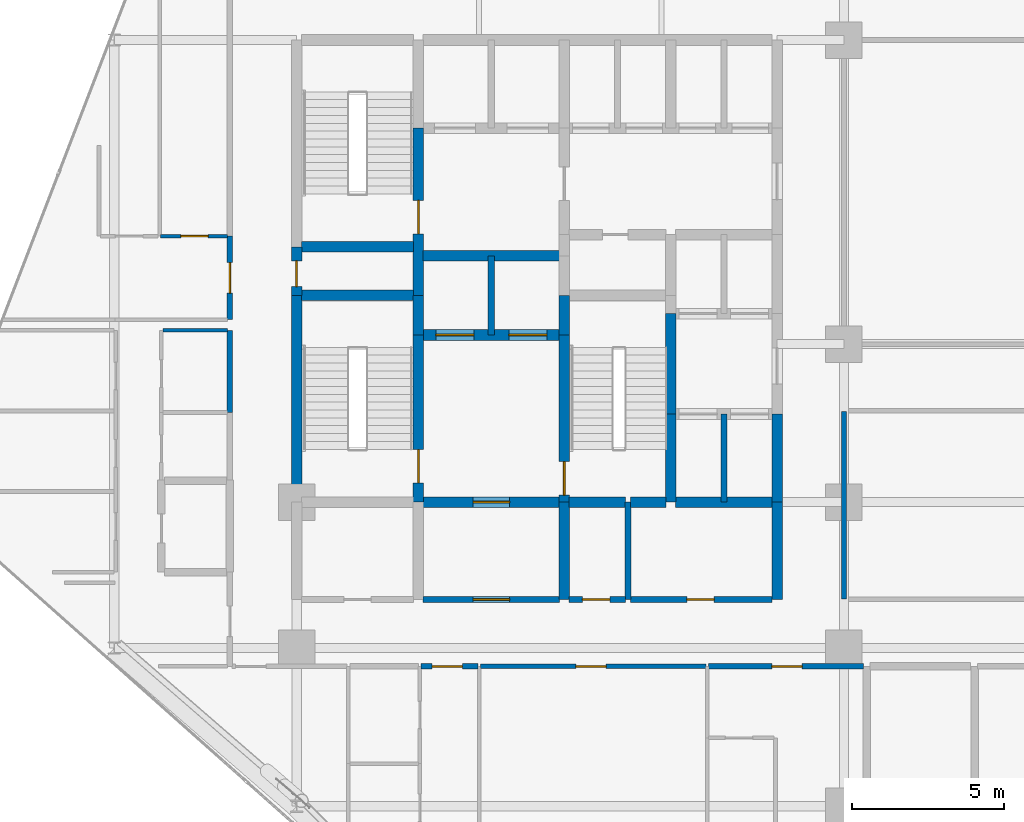
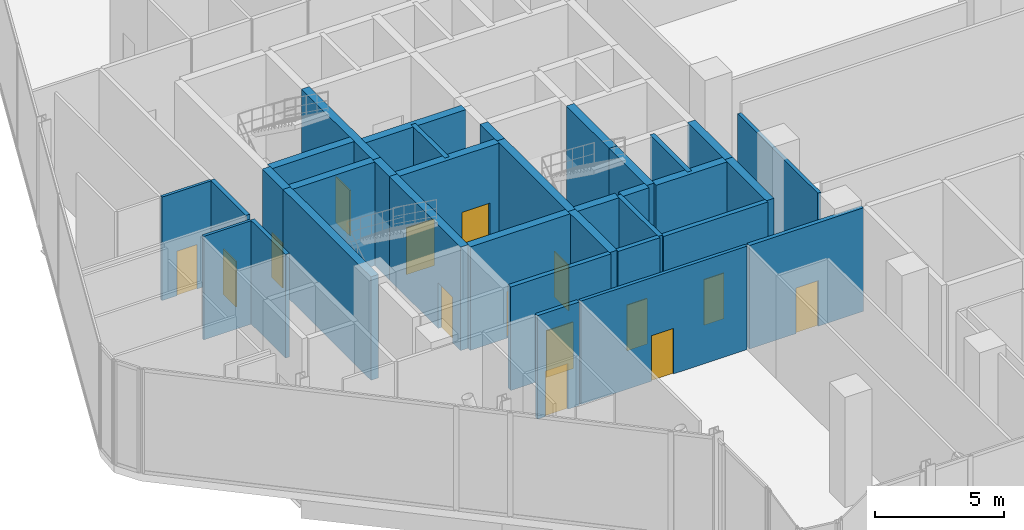
# One storey, part 30 of 36: 34 walls, 15 doors, 15 openings.
"""IFC4 building model written with IfcOpenShell, lengths in metres."""

from ifc_helpers import new_model, si_unit, direction, frame, frame_2d, origin, place, context, subcontext, project, spatial, rectangle, extrude, material, layer, layer_set, type_object, element, fill, save


model = new_model("IFC4")

# Units and contexts
model_context = context("Model", 3, precision=1e-05, world=origin(), true_north=direction((0.0, 1.0)))
body_context = subcontext(model_context, "Body", "Model", "MODEL_VIEW")
ifc_project = project(units=[si_unit("LENGTHUNIT", "METRE"), si_unit("AREAUNIT", "SQUARE_METRE"), si_unit("VOLUMEUNIT", "CUBIC_METRE"), si_unit("PLANEANGLEUNIT", "RADIAN"), si_unit("MASSUNIT", "GRAM", prefix="KILO")], contexts=[model_context])

# Site, building, storey
site_placement = place(None, origin())
site = spatial("IfcSite", under=ifc_project, at=site_placement, CompositionType="ELEMENT")
building_placement = place(site_placement, origin())
building = spatial("IfcBuilding", under=site, at=building_placement, Name="Keshet Zoharim Tower", CompositionType="ELEMENT")
storey_placement = place(building_placement, frame((0.0, 0.0, 81.199951171875)))
storey = spatial("IfcBuildingStorey", under=building, at=storey_placement, Name="L19", CompositionType="ELEMENT", Elevation=81.199951171875)

# Wall
ifc_material_1 = material(Name="Gypsum Plasterboard", Category="gypsum")
ifc_layer_1 = layer(ifc_material_1, 0.14990234375)
ifc_layer_set_1 = layer_set([ifc_layer_1], Name="Gypsum Plasterboard")
wall_type_1 = type_object("IfcWallType", Name="WL-CLIN-150", PredefinedType="STANDARD", material=ifc_layer_set_1)
wall_1_placement = place(storey_placement, frame((33.0, 19.510009765625, 0.0), z_axis=(0.0, 0.0, 1.0), x_axis=(0.0, 1.0, 0.0)))
element("IfcWall", 1, at=wall_1_placement, inside=storey, type_object=wall_type_1, Name="L19 Interior Wall 065", PredefinedType="STANDARD", context=body_context, shape_type="SweptSolid", body=[
    extrude(rectangle(XDim=6.179931640625, YDim=0.14990234375, at=frame_2d((3.08984375, 0.0))), origin(), (0.0, 0.0, 1.0), 4.43505859375),
])

# Wall, opening, door
wall_2_placement = place(storey_placement, frame((21.044921875, 17.300048828125, 0.0), z_axis=(0.0, 0.0, 1.0), x_axis=(1.0, 0.0, 0.0)))
wall_2 = element("IfcWall", 2, at=wall_2_placement, inside=storey, type_object=wall_type_1, Name="L19 Interior Wall 138", PredefinedType="STANDARD", context=body_context, shape_type="SweptSolid", body=[
    extrude(rectangle(XDim=7.41015625, YDim=0.14990234375, at=frame_2d((3.705078125, 0.0))), origin(), (0.0, 0.0, 1.0), 4.885009765625),
])
opening_1_placement = place(wall_2_placement, frame((3.135009765625, 0.0, 0.0)))
opening_1 = element("IfcOpeningElement", 3, at=opening_1_placement, cuts=wall_2, Name="Opening D-F310", PredefinedType="OPENING", context=body_context, shape_type="SweptSolid", body=[
    extrude(rectangle(XDim=1.0, YDim=2.14990234375, at=frame_2d((0.5, 1.074951171875))), frame((0.0, 0.0849609375, 0.0), z_axis=(0.0, -1.0, 0.0), x_axis=(1.0, 0.0, 0.0)), (0.0, 0.0, 1.0), 0.169921875),
])
ifc_material_2 = material(Name="Hardwood Timber", Category="wood")
door_type_1 = type_object("IfcDoorType", Name="DR-FD30-100", OperationType="NOTDEFINED", PredefinedType="DOOR", material=ifc_material_2)
door_1_placement = place(opening_1_placement, origin())
door_1 = element("IfcDoor", 4, at=door_1_placement, inside=storey, type_object=door_type_1, Name="L19 Sky Residents Salon Door", OperationType="SINGLE_SWING_LEFT", OverallHeight=2.14990234375, OverallWidth=1.0, PredefinedType="DOOR", context=body_context, shape_type="SweptSolid", body=[
    extrude(rectangle(XDim=1.0, YDim=2.14990234375, at=frame_2d((0.5, 1.074951171875))), frame((0.0, 0.02490234375, 0.0), z_axis=(0.0, -1.0, 0.0), x_axis=(1.0, 0.0, 0.0)), (0.0, 0.0, 1.0), 0.050048828125),
])
fill(opening_1, door_1)

# Wall
ifc_material_3 = material(Name="Concrete C60/75", Category="concrete")
ifc_layer_2 = layer(ifc_material_3, 0.35009765625)
ifc_layer_set_2 = layer_set([ifc_layer_2], Name="Concrete C60/75")
wall_type_2 = type_object("IfcWallType", Name="WL-CORE-350", PredefinedType="SHEAR", material=ifc_layer_set_2)
wall_3_placement = place(storey_placement, frame((15.0, 22.699951171875, 0.0), z_axis=(0.0, 0.0, 1.0), x_axis=(0.0, 1.0, 0.0)))
element("IfcWall", 5, at=wall_3_placement, inside=storey, type_object=wall_type_2, Name="L19 Core Shear Wall 014", PredefinedType="SHEAR", context=body_context, shape_type="SweptSolid", body=[
    extrude(rectangle(XDim=6.800048828125, YDim=0.35009765625, at=frame_2d((3.39990234375, 0.0))), origin(), (0.0, 0.0, 1.0), 4.885009765625),
])

# Wall, opening, door
wall_4_placement = place(storey_placement, frame((15.0, 29.5, 0.0), z_axis=(0.0, 0.0, 1.0), x_axis=(0.0, 1.0, 0.0)))
wall_4 = element("IfcWall", 6, at=wall_4_placement, inside=storey, type_object=wall_type_2, Name="L19 Core Shear Wall 015", PredefinedType="SHEAR", context=body_context, shape_type="SweptSolid", body=[
    extrude(rectangle(XDim=1.60009765625, YDim=0.35009765625, at=frame_2d((0.800048828125, 0.0))), origin(), (0.0, 0.0, 1.0), 4.885009765625),
])
opening_2_placement = place(wall_4_placement, frame((0.287109375, 0.0, 0.0)))
opening_2 = element("IfcOpeningElement", 7, at=opening_2_placement, cuts=wall_4, Name="Opening D-RS85", PredefinedType="OPENING", context=body_context, shape_type="SweptSolid", body=[
    extrude(rectangle(XDim=0.85009765625, YDim=2.10009765625, at=frame_2d((0.425048828125, 1.050048828125))), frame((0.0, 0.18505859375, 0.0), z_axis=(0.0, -1.0, 0.0), x_axis=(1.0, 0.0, 0.0)), (0.0, 0.0, 1.0), 0.3701171875),
])
door_type_2 = type_object("IfcDoorType", Name="DR-RIS-085", OperationType="NOTDEFINED", PredefinedType="DOOR", material=ifc_material_2)
door_2_placement = place(opening_2_placement, origin())
door_2 = element("IfcDoor", 8, at=door_2_placement, inside=storey, type_object=door_type_2, Name="L19 Electrical Riser Access Cupboard Door", OperationType="SINGLE_SWING_RIGHT", OverallHeight=2.10009765625, OverallWidth=0.85009765625, PredefinedType="DOOR", context=body_context, shape_type="SweptSolid", body=[
    extrude(rectangle(XDim=0.85009765625, YDim=2.10009765625, at=frame_2d((0.425048828125, 1.050048828125))), frame((0.0, 0.02490234375, 0.0), z_axis=(0.0, -1.0, 0.0), x_axis=(1.0, 0.0, 0.0)), (0.0, 0.0, 1.0), 0.050048828125),
])
fill(opening_2, door_2)

wall_5_placement = place(storey_placement, frame((19.0, 22.699951171875, 0.0), z_axis=(0.0, 0.0, 1.0), x_axis=(0.0, 1.0, 0.0)))
wall_5 = element("IfcWall", 9, at=wall_5_placement, inside=storey, type_object=wall_type_2, Name="L19 Core Shear Wall 022", PredefinedType="SHEAR", context=body_context, shape_type="SweptSolid", body=[
    extrude(rectangle(XDim=5.5, YDim=0.35009765625, at=frame_2d((2.75, 0.0))), origin(), (0.0, 0.0, 1.0), 4.885009765625),
])
opening_3_placement = place(wall_5_placement, frame((0.631103515625, 0.0, 0.0)))
opening_3 = element("IfcOpeningElement", 10, at=opening_3_placement, cuts=wall_5, Name="Opening D-F611", PredefinedType="OPENING", context=body_context, shape_type="SweptSolid", body=[
    extrude(rectangle(XDim=1.10009765625, YDim=2.14990234375, at=frame_2d((0.550048828125, 1.074951171875))), frame((0.0, 0.18505859375, 0.0), z_axis=(0.0, -1.0, 0.0), x_axis=(1.0, 0.0, 0.0)), (0.0, 0.0, 1.0), 0.3701171875),
])
door_type_3 = type_object("IfcDoorType", Name="DR-FD60-110", OperationType="NOTDEFINED", PredefinedType="DOOR", material=ifc_material_2)
door_3_placement = place(opening_3_placement, origin())
door_3 = element("IfcDoor", 11, at=door_3_placement, inside=storey, type_object=door_type_3, Name="L19 Exit Stair ST-01 Fire Door", OperationType="SINGLE_SWING_RIGHT", OverallHeight=2.14990234375, OverallWidth=1.10009765625, PredefinedType="DOOR", context=body_context, shape_type="SweptSolid", body=[
    extrude(rectangle(XDim=1.10009765625, YDim=2.14990234375, at=frame_2d((0.550048828125, 1.074951171875))), frame((0.0, 0.02490234375, 0.0), z_axis=(0.0, -1.0, 0.0), x_axis=(1.0, 0.0, 0.0)), (0.0, 0.0, 1.0), 0.050048828125),
])
fill(opening_3, door_3)

# Wall
wall_6_placement = place(storey_placement, frame((19.0, 28.199951171875, 0.0), z_axis=(0.0, 0.0, 1.0), x_axis=(0.0, 1.0, 0.0)))
element("IfcWall", 12, at=wall_6_placement, inside=storey, type_object=wall_type_2, Name="L19 Core Shear Wall 023", PredefinedType="SHEAR", context=body_context, shape_type="SweptSolid", body=[
    extrude(rectangle(XDim=1.300048828125, YDim=0.35009765625, at=frame_2d((0.64990234375, 0.0))), origin(), (0.0, 0.0, 1.0), 4.885009765625),
])

# Wall, opening, door
wall_7_placement = place(storey_placement, frame((19.0, 29.5, 0.0), z_axis=(0.0, 0.0, 1.0), x_axis=(0.0, 1.0, 0.0)))
wall_7 = element("IfcWall", 13, at=wall_7_placement, inside=storey, type_object=wall_type_2, Name="L19 Core Shear Wall 024", PredefinedType="SHEAR", context=body_context, shape_type="SweptSolid", body=[
    extrude(rectangle(XDim=5.5, YDim=0.35009765625, at=frame_2d((2.75, 0.0))), origin(), (0.0, 0.0, 1.0), 4.885009765625),
])
opening_4_placement = place(wall_7_placement, frame((2.02490234375, 0.0, 0.0)))
opening_4 = element("IfcOpeningElement", 14, at=opening_4_placement, cuts=wall_7, Name="Opening D-F611", PredefinedType="OPENING", context=body_context, shape_type="SweptSolid", body=[
    extrude(rectangle(XDim=1.10009765625, YDim=2.14990234375, at=frame_2d((0.550048828125, 1.074951171875))), frame((0.0, 0.18505859375, 0.0), z_axis=(0.0, -1.0, 0.0), x_axis=(1.0, 0.0, 0.0)), (0.0, 0.0, 1.0), 0.3701171875),
])
door_4_placement = place(opening_4_placement, origin())
door_4 = element("IfcDoor", 15, at=door_4_placement, inside=storey, type_object=door_type_3, Name="L19 Exit Stair ST-02 Fire Door", OperationType="SINGLE_SWING_LEFT", OverallHeight=2.14990234375, OverallWidth=1.10009765625, PredefinedType="DOOR", context=body_context, shape_type="SweptSolid", body=[
    extrude(rectangle(XDim=1.10009765625, YDim=2.14990234375, at=frame_2d((0.550048828125, 1.074951171875))), frame((0.0, 0.02490234375, 0.0), z_axis=(0.0, -1.0, 0.0), x_axis=(1.0, 0.0, 0.0)), (0.0, 0.0, 1.0), 0.050048828125),
])
fill(opening_4, door_4)

# Wall
wall_8_placement = place(storey_placement, frame((23.800048828125, 19.5, 0.0), z_axis=(0.0, 0.0, 1.0), x_axis=(0.0, 1.0, 0.0)))
element("IfcWall", 16, at=wall_8_placement, inside=storey, type_object=wall_type_2, Name="L19 Core Shear Wall 034", PredefinedType="SHEAR", context=body_context, shape_type="SweptSolid", body=[
    extrude(rectangle(XDim=3.199951171875, YDim=0.35009765625, at=frame_2d((1.60009765625, 0.0))), origin(), (0.0, 0.0, 1.0), 4.885009765625),
])

# Wall, opening, door
wall_9_placement = place(storey_placement, frame((23.800048828125, 22.699951171875, 0.0), z_axis=(0.0, 0.0, 1.0), x_axis=(0.0, 1.0, 0.0)))
wall_9 = element("IfcWall", 17, at=wall_9_placement, inside=storey, type_object=wall_type_2, Name="L19 Core Shear Wall 035", PredefinedType="SHEAR", context=body_context, shape_type="SweptSolid", body=[
    extrude(rectangle(XDim=5.5, YDim=0.35009765625, at=frame_2d((2.75, 0.0))), origin(), (0.0, 0.0, 1.0), 4.885009765625),
])
opening_5_placement = place(wall_9_placement, frame((0.235107421875, 0.0, 0.0)))
opening_5 = element("IfcOpeningElement", 18, at=opening_5_placement, cuts=wall_9, Name="Opening D-F611", PredefinedType="OPENING", context=body_context, shape_type="SweptSolid", body=[
    extrude(rectangle(XDim=1.10009765625, YDim=2.14990234375, at=frame_2d((0.550048828125, 1.074951171875))), frame((0.0, 0.18505859375, 0.0), z_axis=(0.0, -1.0, 0.0), x_axis=(1.0, 0.0, 0.0)), (0.0, 0.0, 1.0), 0.3701171875),
])
door_5_placement = place(opening_5_placement, frame((1.10009765625, 0.0, 0.0), z_axis=(0.0, 0.0, 1.0), x_axis=(-1.0, 0.0, 0.0)))
door_5 = element("IfcDoor", 19, at=door_5_placement, inside=storey, type_object=door_type_3, Name="L19 Exit Stair ST-03 Fire Door", OperationType="SINGLE_SWING_LEFT", OverallHeight=2.14990234375, OverallWidth=1.10009765625, PredefinedType="DOOR", context=body_context, shape_type="SweptSolid", body=[
    extrude(rectangle(XDim=1.10009765625, YDim=2.14990234375, at=frame_2d((0.550048828125, 1.074951171875))), frame((0.0, 0.02490234375, 0.0), z_axis=(0.0, -1.0, 0.0), x_axis=(1.0, 0.0, 0.0)), (0.0, 0.0, 1.0), 0.050048828125),
])
fill(opening_5, door_5)

# Walls
wall_10_placement = place(storey_placement, frame((23.800048828125, 28.199951171875, 0.0), z_axis=(0.0, 0.0, 1.0), x_axis=(0.0, 1.0, 0.0)))
element("IfcWall", 20, at=wall_10_placement, inside=storey, type_object=wall_type_2, Name="L19 Core Shear Wall 036", PredefinedType="SHEAR", context=body_context, shape_type="SweptSolid", body=[
    extrude(rectangle(XDim=1.300048828125, YDim=0.35009765625, at=frame_2d((0.64990234375, 0.0))), origin(), (0.0, 0.0, 1.0), 4.885009765625),
])
wall_11_placement = place(storey_placement, frame((27.300048828125, 22.699951171875, 0.0), z_axis=(0.0, 0.0, 1.0), x_axis=(0.0, 1.0, 0.0)))
element("IfcWall", 21, at=wall_11_placement, inside=storey, type_object=wall_type_2, Name="L19 Core Shear Wall 046", PredefinedType="SHEAR", context=body_context, shape_type="SweptSolid", body=[
    extrude(rectangle(XDim=2.900146484375, YDim=0.35009765625, at=frame_2d((1.4501953125, 0.0))), origin(), (0.0, 0.0, 1.0), 4.885009765625),
])
wall_12_placement = place(storey_placement, frame((27.300048828125, 25.60009765625, 0.0), z_axis=(0.0, 0.0, 1.0), x_axis=(0.0, 1.0, 0.0)))
element("IfcWall", 22, at=wall_12_placement, inside=storey, type_object=wall_type_2, Name="L19 Core Shear Wall 047", PredefinedType="SHEAR", context=body_context, shape_type="SweptSolid", body=[
    extrude(rectangle(XDim=3.2998046875, YDim=0.35009765625, at=frame_2d((1.64990234375, 0.0))), origin(), (0.0, 0.0, 1.0), 4.885009765625),
])
wall_13_placement = place(storey_placement, frame((30.800048828125, 19.5, 0.0), z_axis=(0.0, 0.0, 1.0), x_axis=(0.0, 1.0, 0.0)))
element("IfcWall", 23, at=wall_13_placement, inside=storey, type_object=wall_type_2, Name="L19 Core Shear Wall 059", PredefinedType="SHEAR", context=body_context, shape_type="SweptSolid", body=[
    extrude(rectangle(XDim=3.199951171875, YDim=0.35009765625, at=frame_2d((1.60009765625, 0.0))), origin(), (0.0, 0.0, 1.0), 4.885009765625),
])
wall_14_placement = place(storey_placement, frame((30.800048828125, 22.699951171875, 0.0), z_axis=(0.0, 0.0, 1.0), x_axis=(0.0, 1.0, 0.0)))
element("IfcWall", 24, at=wall_14_placement, inside=storey, type_object=wall_type_2, Name="L19 Core Shear Wall 060", PredefinedType="SHEAR", context=body_context, shape_type="SweptSolid", body=[
    extrude(rectangle(XDim=2.900146484375, YDim=0.35009765625, at=frame_2d((1.4501953125, 0.0))), origin(), (0.0, 0.0, 1.0), 4.885009765625),
])

# Wall, opening, door
wall_15_placement = place(storey_placement, frame((19.159912109375, 22.699951171875, 0.0), z_axis=(0.0, 0.0, 1.0), x_axis=(1.0, 0.0, 0.0)))
wall_15 = element("IfcWall", 25, at=wall_15_placement, inside=storey, type_object=wall_type_2, Name="L19 Core Shear Wall 160", PredefinedType="SHEAR", context=body_context, shape_type="SweptSolid", body=[
    extrude(rectangle(XDim=4.47998046875, YDim=0.35009765625, at=frame_2d((2.239990234375, 0.0))), origin(), (0.0, 0.0, 1.0), 4.885009765625),
])
opening_6_placement = place(wall_15_placement, frame((1.639892578125, 0.0, 0.0)))
opening_6 = element("IfcOpeningElement", 26, at=opening_6_placement, cuts=wall_15, Name="Opening D-F612", PredefinedType="OPENING", context=body_context, shape_type="SweptSolid", body=[
    extrude(rectangle(XDim=1.199951171875, YDim=2.199951171875, at=frame_2d((0.60009765625, 1.10009765625))), frame((0.0, 0.18505859375, 0.0), z_axis=(0.0, -1.0, 0.0), x_axis=(1.0, 0.0, 0.0)), (0.0, 0.0, 1.0), 0.3701171875),
])
door_type_4 = type_object("IfcDoorType", Name="DR-FD60-120", OperationType="NOTDEFINED", PredefinedType="DOOR", material=ifc_material_2)
door_6_placement = place(opening_6_placement, origin())
door_6 = element("IfcDoor", 27, at=door_6_placement, inside=storey, type_object=door_type_4, Name="L19 South Core Lobby Fire Door", OperationType="SINGLE_SWING_RIGHT", OverallHeight=2.199951171875, OverallWidth=1.199951171875, PredefinedType="DOOR", context=body_context, shape_type="SweptSolid", body=[
    extrude(rectangle(XDim=1.199951171875, YDim=2.199951171875, at=frame_2d((0.60009765625, 1.10009765625))), frame((0.0, 0.02490234375, 0.0), z_axis=(0.0, -1.0, 0.0), x_axis=(1.0, 0.0, 0.0)), (0.0, 0.0, 1.0), 0.050048828125),
])
fill(opening_6, door_6)

# Walls
wall_16_placement = place(storey_placement, frame((23.9599609375, 22.699951171875, 0.0), z_axis=(0.0, 0.0, 1.0), x_axis=(1.0, 0.0, 0.0)))
element("IfcWall", 28, at=wall_16_placement, inside=storey, type_object=wall_type_2, Name="L19 Core Shear Wall 161", PredefinedType="SHEAR", context=body_context, shape_type="SweptSolid", body=[
    extrude(rectangle(XDim=1.85498046875, YDim=0.35009765625, at=frame_2d((0.927490234375, 0.0))), origin(), (0.0, 0.0, 1.0), 4.885009765625),
])
wall_17_placement = place(storey_placement, frame((25.985107421875, 22.699951171875, 0.0), z_axis=(0.0, 0.0, 1.0), x_axis=(1.0, 0.0, 0.0)))
element("IfcWall", 29, at=wall_17_placement, inside=storey, type_object=wall_type_2, Name="L19 Core Shear Wall 162", PredefinedType="SHEAR", context=body_context, shape_type="SweptSolid", body=[
    extrude(rectangle(XDim=1.15478515625, YDim=0.35009765625, at=frame_2d((0.577392578125, 0.0))), origin(), (0.0, 0.0, 1.0), 4.885009765625),
])
wall_18_placement = place(storey_placement, frame((27.4599609375, 22.699951171875, 0.0), z_axis=(0.0, 0.0, 1.0), x_axis=(1.0, 0.0, 0.0)))
element("IfcWall", 30, at=wall_18_placement, inside=storey, type_object=wall_type_2, Name="L19 Core Shear Wall 163", PredefinedType="SHEAR", context=body_context, shape_type="SweptSolid", body=[
    extrude(rectangle(XDim=3.179931640625, YDim=0.35009765625, at=frame_2d((1.58984375, 0.0))), origin(), (0.0, 0.0, 1.0), 4.885009765625),
])

# Wall, openings, doors
wall_19_placement = place(storey_placement, frame((19.159912109375, 28.199951171875, 0.0), z_axis=(0.0, 0.0, 1.0), x_axis=(1.0, 0.0, 0.0)))
wall_19 = element("IfcWall", 31, at=wall_19_placement, inside=storey, type_object=wall_type_2, Name="L19 Core Shear Wall 171", PredefinedType="SHEAR", context=body_context, shape_type="SweptSolid", body=[
    extrude(rectangle(XDim=4.47998046875, YDim=0.35009765625, at=frame_2d((2.239990234375, 0.0))), origin(), (0.0, 0.0, 1.0), 4.885009765625),
])
opening_7_placement = place(wall_19_placement, frame((0.4150390625, 0.0, 0.0)))
opening_7 = element("IfcOpeningElement", 32, at=opening_7_placement, cuts=wall_19, Name="Opening LD-01", PredefinedType="OPENING", context=body_context, shape_type="SweptSolid", body=[
    extrude(rectangle(XDim=1.25, YDim=2.199951171875, at=frame_2d((0.625, 1.10009765625))), frame((0.0, 0.18505859375, 0.0), z_axis=(0.0, -1.0, 0.0), x_axis=(1.0, 0.0, 0.0)), (0.0, 0.0, 1.0), 0.3701171875),
])
opening_8_placement = place(wall_19_placement, frame((2.81494140625, 0.0, 0.0)))
opening_8 = element("IfcOpeningElement", 33, at=opening_8_placement, cuts=wall_19, Name="Opening LD-01", PredefinedType="OPENING", context=body_context, shape_type="SweptSolid", body=[
    extrude(rectangle(XDim=1.25, YDim=2.199951171875, at=frame_2d((0.625, 1.10009765625))), frame((0.0, 0.18505859375, 0.0), z_axis=(0.0, -1.0, 0.0), x_axis=(1.0, 0.0, 0.0)), (0.0, 0.0, 1.0), 0.3701171875),
])
ifc_material_4 = material(Name="Steel S355", Category="steel")
door_type_5 = type_object("IfcDoorType", Name="DR-LD01-125", OperationType="DOUBLE_DOOR_SLIDING", PredefinedType="DOOR", material=ifc_material_4)
door_7_placement = place(opening_7_placement, origin())
door_7 = element("IfcDoor", 34, at=door_7_placement, inside=storey, type_object=door_type_5, Name="L19 Passenger Lift Landing Door LF-09", OperationType="DOUBLE_DOOR_SLIDING", OverallHeight=2.199951171875, OverallWidth=1.25, PredefinedType="DOOR", context=body_context, shape_type="SweptSolid", body=[
    extrude(rectangle(XDim=1.25, YDim=2.199951171875, at=frame_2d((0.625, 1.10009765625))), frame((0.0, 0.02490234375, 0.0), z_axis=(0.0, -1.0, 0.0), x_axis=(1.0, 0.0, 0.0)), (0.0, 0.0, 1.0), 0.050048828125),
])
fill(opening_7, door_7)
door_8_placement = place(opening_8_placement, origin())
door_8 = element("IfcDoor", 35, at=door_8_placement, inside=storey, type_object=door_type_5, Name="L19 Passenger Lift Landing Door LF-10", OperationType="DOUBLE_DOOR_SLIDING", OverallHeight=2.199951171875, OverallWidth=1.25, PredefinedType="DOOR", context=body_context, shape_type="SweptSolid", body=[
    extrude(rectangle(XDim=1.25, YDim=2.199951171875, at=frame_2d((0.625, 1.10009765625))), frame((0.0, 0.02490234375, 0.0), z_axis=(0.0, -1.0, 0.0), x_axis=(1.0, 0.0, 0.0)), (0.0, 0.0, 1.0), 0.050048828125),
])
fill(opening_8, door_8)

# Walls
wall_20_placement = place(storey_placement, frame((15.159912109375, 29.5, 0.0), z_axis=(0.0, 0.0, 1.0), x_axis=(1.0, 0.0, 0.0)))
element("IfcWall", 36, at=wall_20_placement, inside=storey, type_object=wall_type_2, Name="L19 Core Shear Wall 177", PredefinedType="SHEAR", context=body_context, shape_type="SweptSolid", body=[
    extrude(rectangle(XDim=3.68017578125, YDim=0.35009765625, at=frame_2d((1.840087890625, 0.0))), origin(), (0.0, 0.0, 1.0), 4.885009765625),
])
wall_21_placement = place(storey_placement, frame((19.159912109375, 30.800048828125, 0.0), z_axis=(0.0, 0.0, 1.0), x_axis=(1.0, 0.0, 0.0)))
element("IfcWall", 37, at=wall_21_placement, inside=storey, type_object=wall_type_2, Name="L19 Core Shear Wall 179", PredefinedType="SHEAR", context=body_context, shape_type="SweptSolid", body=[
    extrude(rectangle(XDim=4.47998046875, YDim=0.35009765625, at=frame_2d((2.239990234375, 0.0))), origin(), (0.0, 0.0, 1.0), 4.885009765625),
])
wall_22_placement = place(storey_placement, frame((15.159912109375, 31.10009765625, 0.0), z_axis=(0.0, 0.0, 1.0), x_axis=(1.0, 0.0, 0.0)))
element("IfcWall", 38, at=wall_22_placement, inside=storey, type_object=wall_type_2, Name="L19 Core Shear Wall 180", PredefinedType="SHEAR", context=body_context, shape_type="SweptSolid", body=[
    extrude(rectangle(XDim=3.68017578125, YDim=0.35009765625, at=frame_2d((1.840087890625, 0.0))), origin(), (0.0, 0.0, 1.0), 4.885009765625),
])
ifc_layer_3 = layer(ifc_material_1, 0.179931640625)
ifc_layer_set_3 = layer_set([ifc_layer_3], Name="Gypsum Plasterboard")
wall_type_3 = type_object("IfcWallType", Name="WL-CORR-180", PredefinedType="STANDARD", material=ifc_layer_set_3)
wall_23_placement = place(storey_placement, frame((12.800048828125, 25.64697265625, 0.0), z_axis=(0.0, 0.0, 1.0), x_axis=(0.0, 1.0, 0.0)))
element("IfcWall", 39, at=wall_23_placement, inside=storey, type_object=wall_type_3, Name="L19 Interior Wall 010", PredefinedType="STANDARD", context=body_context, shape_type="SweptSolid", body=[
    extrude(rectangle(XDim=2.703125, YDim=0.179931640625, at=frame_2d((1.3515625, 0.0))), origin(), (0.0, 0.0, 1.0), 4.885009765625),
])

# Wall, opening, door
wall_24_placement = place(storey_placement, frame((12.800048828125, 28.699951171875, 0.0), z_axis=(0.0, 0.0, 1.0), x_axis=(0.0, 1.0, 0.0)))
wall_24 = element("IfcWall", 40, at=wall_24_placement, inside=storey, type_object=wall_type_3, Name="L19 Interior Wall 011", PredefinedType="STANDARD", context=body_context, shape_type="SweptSolid", body=[
    extrude(rectangle(XDim=2.75, YDim=0.179931640625, at=frame_2d((1.375, 0.0))), origin(), (0.0, 0.0, 1.0), 4.885009765625),
])
opening_9_placement = place(wall_24_placement, frame((0.875, 0.0, 0.0)))
opening_9 = element("IfcOpeningElement", 41, at=opening_9_placement, cuts=wall_24, Name="Opening D-F310", PredefinedType="OPENING", context=body_context, shape_type="SweptSolid", body=[
    extrude(rectangle(XDim=1.0, YDim=2.14990234375, at=frame_2d((0.5, 1.074951171875))), frame((0.0, 0.10009765625, 0.0), z_axis=(0.0, -1.0, 0.0), x_axis=(1.0, 0.0, 0.0)), (0.0, 0.0, 1.0), 0.199951171875),
])
door_9_placement = place(opening_9_placement, origin())
door_9 = element("IfcDoor", 42, at=door_9_placement, inside=storey, type_object=door_type_1, Name="Apartment 1910 Entrance Door", OperationType="SINGLE_SWING_LEFT", OverallHeight=2.14990234375, OverallWidth=1.0, PredefinedType="DOOR", context=body_context, shape_type="SweptSolid", body=[
    extrude(rectangle(XDim=1.0, YDim=2.14990234375, at=frame_2d((0.5, 1.074951171875))), frame((0.0, 0.02490234375, 0.0), z_axis=(0.0, -1.0, 0.0), x_axis=(1.0, 0.0, 0.0)), (0.0, 0.0, 1.0), 0.050048828125),
])
fill(opening_9, door_9)

wall_25_placement = place(storey_placement, frame((19.094970703125, 17.300048828125, 0.0), z_axis=(0.0, 0.0, 1.0), x_axis=(1.0, 0.0, 0.0)))
wall_25 = element("IfcWall", 43, at=wall_25_placement, inside=storey, type_object=wall_type_3, Name="L19 Interior Wall 137", PredefinedType="STANDARD", context=body_context, shape_type="SweptSolid", body=[
    extrude(rectangle(XDim=1.860107421875, YDim=0.179931640625, at=frame_2d((0.93017578125, 0.0))), origin(), (0.0, 0.0, 1.0), 4.885009765625),
])
opening_10_placement = place(wall_25_placement, frame((0.35693359375, 0.0, 0.0)))
opening_10 = element("IfcOpeningElement", 44, at=opening_10_placement, cuts=wall_25, Name="Opening D-F310", PredefinedType="OPENING", context=body_context, shape_type="SweptSolid", body=[
    extrude(rectangle(XDim=1.0, YDim=2.14990234375, at=frame_2d((0.5, 1.074951171875))), frame((0.0, 0.10009765625, 0.0), z_axis=(0.0, -1.0, 0.0), x_axis=(1.0, 0.0, 0.0)), (0.0, 0.0, 1.0), 0.199951171875),
])
door_10_placement = place(opening_10_placement, origin())
door_10 = element("IfcDoor", 45, at=door_10_placement, inside=storey, type_object=door_type_1, Name="Apartment 1901 Entrance Door", OperationType="SINGLE_SWING_RIGHT", OverallHeight=2.14990234375, OverallWidth=1.0, PredefinedType="DOOR", context=body_context, shape_type="SweptSolid", body=[
    extrude(rectangle(XDim=1.0, YDim=2.14990234375, at=frame_2d((0.5, 1.074951171875))), frame((0.0, 0.02490234375, 0.0), z_axis=(0.0, -1.0, 0.0), x_axis=(1.0, 0.0, 0.0)), (0.0, 0.0, 1.0), 0.050048828125),
])
fill(opening_10, door_10)

wall_26_placement = place(storey_placement, frame((28.544921875, 17.300048828125, 0.0), z_axis=(0.0, 0.0, 1.0), x_axis=(1.0, 0.0, 0.0)))
wall_26 = element("IfcWall", 46, at=wall_26_placement, inside=storey, type_object=wall_type_3, Name="L19 Interior Wall 139", PredefinedType="STANDARD", context=body_context, shape_type="SweptSolid", body=[
    extrude(rectangle(XDim=5.094970703125, YDim=0.179931640625, at=frame_2d((2.54736328125, 0.0))), origin(), (0.0, 0.0, 1.0), 4.885009765625),
])
opening_11_placement = place(wall_26_placement, frame((2.080078125, 0.0, 0.0)))
opening_11 = element("IfcOpeningElement", 47, at=opening_11_placement, cuts=wall_26, Name="Opening D-F310", PredefinedType="OPENING", context=body_context, shape_type="SweptSolid", body=[
    extrude(rectangle(XDim=1.0, YDim=2.14990234375, at=frame_2d((0.5, 1.074951171875))), frame((0.0, 0.10009765625, 0.0), z_axis=(0.0, -1.0, 0.0), x_axis=(1.0, 0.0, 0.0)), (0.0, 0.0, 1.0), 0.199951171875),
])
door_11_placement = place(opening_11_placement, origin())
door_11 = element("IfcDoor", 48, at=door_11_placement, inside=storey, type_object=door_type_1, Name="Apartment 1902 Entrance Door", OperationType="SINGLE_SWING_RIGHT", OverallHeight=2.14990234375, OverallWidth=1.0, PredefinedType="DOOR", context=body_context, shape_type="SweptSolid", body=[
    extrude(rectangle(XDim=1.0, YDim=2.14990234375, at=frame_2d((0.5, 1.074951171875))), frame((0.0, 0.02490234375, 0.0), z_axis=(0.0, -1.0, 0.0), x_axis=(1.0, 0.0, 0.0)), (0.0, 0.0, 1.0), 0.050048828125),
])
fill(opening_11, door_11)

# Walls
ifc_material_5 = material(Name="Concrete C50/60", Category="concrete")
ifc_layer_4 = layer(ifc_material_5, 0.199951171875)
ifc_layer_set_4 = layer_set([ifc_layer_4], Name="Concrete C50/60")
wall_type_4 = type_object("IfcWallType", Name="WL-FIRE-200", PredefinedType="STANDARD", material=ifc_layer_set_4)
wall_27_placement = place(storey_placement, frame((21.39990234375, 28.199951171875, 0.0), z_axis=(0.0, 0.0, 1.0), x_axis=(0.0, 1.0, 0.0)))
element("IfcWall", 49, at=wall_27_placement, inside=storey, type_object=wall_type_4, Name="L19 Interior Wall 031", PredefinedType="STANDARD", context=body_context, shape_type="SweptSolid", body=[
    extrude(rectangle(XDim=2.60009765625, YDim=0.199951171875, at=frame_2d((1.300048828125, 0.0))), origin(), (0.0, 0.0, 1.0), 4.885009765625),
])
wall_28_placement = place(storey_placement, frame((25.89990234375, 19.5, 0.0), z_axis=(0.0, 0.0, 1.0), x_axis=(0.0, 1.0, 0.0)))
element("IfcWall", 50, at=wall_28_placement, inside=storey, type_object=wall_type_4, Name="L19 Interior Wall 042", PredefinedType="STANDARD", context=body_context, shape_type="SweptSolid", body=[
    extrude(rectangle(XDim=3.199951171875, YDim=0.199951171875, at=frame_2d((1.60009765625, 0.0))), origin(), (0.0, 0.0, 1.0), 4.885009765625),
])
wall_29_placement = place(storey_placement, frame((29.050048828125, 22.699951171875, 0.0), z_axis=(0.0, 0.0, 1.0), x_axis=(0.0, 1.0, 0.0)))
element("IfcWall", 51, at=wall_29_placement, inside=storey, type_object=wall_type_4, Name="L19 Interior Wall 053", PredefinedType="STANDARD", context=body_context, shape_type="SweptSolid", body=[
    extrude(rectangle(XDim=2.900146484375, YDim=0.199951171875, at=frame_2d((1.4501953125, 0.0))), origin(), (0.0, 0.0, 1.0), 4.885009765625),
])

# Wall, opening, door
wall_30_placement = place(storey_placement, frame((19.159912109375, 19.5, 0.0), z_axis=(0.0, 0.0, 1.0), x_axis=(1.0, 0.0, 0.0)))
wall_30 = element("IfcWall", 52, at=wall_30_placement, inside=storey, type_object=wall_type_4, Name="L19 Interior Wall 152", PredefinedType="STANDARD", context=body_context, shape_type="SweptSolid", body=[
    extrude(rectangle(XDim=4.47998046875, YDim=0.199951171875, at=frame_2d((2.239990234375, 0.0))), origin(), (0.0, 0.0, 1.0), 4.885009765625),
])
opening_12_placement = place(wall_30_placement, frame((1.639892578125, 0.0, 0.0)))
opening_12 = element("IfcOpeningElement", 53, at=opening_12_placement, cuts=wall_30, Name="Opening D-F612", PredefinedType="OPENING", context=body_context, shape_type="SweptSolid", body=[
    extrude(rectangle(XDim=1.199951171875, YDim=2.199951171875, at=frame_2d((0.60009765625, 1.10009765625))), frame((0.0, 0.10986328125, 0.0), z_axis=(0.0, -1.0, 0.0), x_axis=(1.0, 0.0, 0.0)), (0.0, 0.0, 1.0), 0.219970703125),
])
door_12_placement = place(opening_12_placement, origin())
door_12 = element("IfcDoor", 54, at=door_12_placement, inside=storey, type_object=door_type_4, Name="L19 South Vestibule Corridor Door", OperationType="SINGLE_SWING_RIGHT", OverallHeight=2.199951171875, OverallWidth=1.199951171875, PredefinedType="DOOR", context=body_context, shape_type="SweptSolid", body=[
    extrude(rectangle(XDim=1.199951171875, YDim=2.199951171875, at=frame_2d((0.60009765625, 1.10009765625))), frame((0.0, 0.02490234375, 0.0), z_axis=(0.0, -1.0, 0.0), x_axis=(1.0, 0.0, 0.0)), (0.0, 0.0, 1.0), 0.050048828125),
])
fill(opening_12, door_12)

wall_31_placement = place(storey_placement, frame((23.9599609375, 19.5, 0.0), z_axis=(0.0, 0.0, 1.0), x_axis=(1.0, 0.0, 0.0)))
wall_31 = element("IfcWall", 55, at=wall_31_placement, inside=storey, type_object=wall_type_4, Name="L19 Interior Wall 153", PredefinedType="STANDARD", context=body_context, shape_type="SweptSolid", body=[
    extrude(rectangle(XDim=1.85498046875, YDim=0.199951171875, at=frame_2d((0.927490234375, 0.0))), origin(), (0.0, 0.0, 1.0), 4.885009765625),
])
opening_13_placement = place(wall_31_placement, frame((0.43994140625, 0.0, 0.0)))
opening_13 = element("IfcOpeningElement", 56, at=opening_13_placement, cuts=wall_31, Name="Opening D-F690", PredefinedType="OPENING", context=body_context, shape_type="SweptSolid", body=[
    extrude(rectangle(XDim=0.89990234375, YDim=2.14990234375, at=frame_2d((0.449951171875, 1.074951171875))), frame((0.0, 0.10986328125, 0.0), z_axis=(0.0, -1.0, 0.0), x_axis=(1.0, 0.0, 0.0)), (0.0, 0.0, 1.0), 0.219970703125),
])
door_type_6 = type_object("IfcDoorType", Name="DR-FD60-090", OperationType="NOTDEFINED", PredefinedType="DOOR", material=ifc_material_2)
door_13_placement = place(opening_13_placement, origin())
door_13 = element("IfcDoor", 57, at=door_13_placement, inside=storey, type_object=door_type_6, Name="L19 Cleaners Store Door", OperationType="SINGLE_SWING_LEFT", OverallHeight=2.14990234375, OverallWidth=0.89990234375, PredefinedType="DOOR", context=body_context, shape_type="SweptSolid", body=[
    extrude(rectangle(XDim=0.89990234375, YDim=2.14990234375, at=frame_2d((0.449951171875, 1.074951171875))), frame((0.0, 0.02490234375, 0.0), z_axis=(0.0, -1.0, 0.0), x_axis=(1.0, 0.0, 0.0)), (0.0, 0.0, 1.0), 0.050048828125),
])
fill(opening_13, door_13)

wall_32_placement = place(storey_placement, frame((25.985107421875, 19.5, 0.0), z_axis=(0.0, 0.0, 1.0), x_axis=(1.0, 0.0, 0.0)))
wall_32 = element("IfcWall", 58, at=wall_32_placement, inside=storey, type_object=wall_type_4, Name="L19 Interior Wall 154", PredefinedType="STANDARD", context=body_context, shape_type="SweptSolid", body=[
    extrude(rectangle(XDim=4.65478515625, YDim=0.199951171875, at=frame_2d((2.327392578125, 0.0))), origin(), (0.0, 0.0, 1.0), 4.885009765625),
])
opening_14_placement = place(wall_32_placement, frame((1.844970703125, 0.0, 0.0)))
opening_14 = element("IfcOpeningElement", 59, at=opening_14_placement, cuts=wall_32, Name="Opening D-F690", PredefinedType="OPENING", context=body_context, shape_type="SweptSolid", body=[
    extrude(rectangle(XDim=0.89990234375, YDim=2.14990234375, at=frame_2d((0.449951171875, 1.074951171875))), frame((0.0, 0.10986328125, 0.0), z_axis=(0.0, -1.0, 0.0), x_axis=(1.0, 0.0, 0.0)), (0.0, 0.0, 1.0), 0.219970703125),
])
door_14_placement = place(opening_14_placement, origin())
door_14 = element("IfcDoor", 60, at=door_14_placement, inside=storey, type_object=door_type_6, Name="L19 Meter Room Door", OperationType="SINGLE_SWING_RIGHT", OverallHeight=2.14990234375, OverallWidth=0.89990234375, PredefinedType="DOOR", context=body_context, shape_type="SweptSolid", body=[
    extrude(rectangle(XDim=0.89990234375, YDim=2.14990234375, at=frame_2d((0.449951171875, 1.074951171875))), frame((0.0, 0.02490234375, 0.0), z_axis=(0.0, -1.0, 0.0), x_axis=(1.0, 0.0, 0.0)), (0.0, 0.0, 1.0), 0.050048828125),
])
fill(opening_14, door_14)

# Wall
ifc_layer_5 = layer(ifc_material_1, 0.1201171875)
ifc_layer_set_5 = layer_set([ifc_layer_5], Name="Gypsum Plasterboard")
wall_type_5 = type_object("IfcWallType", Name="WL-PART-120", PredefinedType="PARTITIONING", material=ifc_layer_set_5)
wall_33_placement = place(storey_placement, frame((10.594970703125, 28.35009765625, 0.0), z_axis=(0.0, 0.0, 1.0), x_axis=(1.0, 0.0, 0.0)))
element("IfcWall", 61, at=wall_33_placement, inside=storey, type_object=wall_type_5, Name="L19 Interior Wall 173", PredefinedType="PARTITIONING", context=body_context, shape_type="SweptSolid", body=[
    extrude(rectangle(XDim=2.130126953125, YDim=0.1201171875, at=frame_2d((1.06494140625, 0.0))), origin(), (0.0, 0.0, 1.0), 4.885009765625),
])

# Wall, opening, door
ifc_layer_6 = layer(ifc_material_1, 0.1201171875)
ifc_layer_set_6 = layer_set([ifc_layer_6], Name="Gypsum Plasterboard")
wall_type_6 = type_object("IfcWallType", Name="WL-WET-120", PredefinedType="PARTITIONING", material=ifc_layer_set_6)
wall_34_placement = place(storey_placement, frame((10.52294921875, 31.449951171875, 0.0), z_axis=(0.0, 0.0, 1.0), x_axis=(1.0, 0.0, 0.0)))
wall_34 = element("IfcWall", 62, at=wall_34_placement, inside=storey, type_object=wall_type_6, Name="L19 Interior Wall 182", PredefinedType="PARTITIONING", context=body_context, shape_type="SweptSolid", body=[
    extrude(rectangle(XDim=2.2021484375, YDim=0.1201171875, at=frame_2d((1.10107421875, 0.0))), origin(), (0.0, 0.0, 1.0), 4.885009765625),
])
opening_15_placement = place(wall_34_placement, frame((0.666015625, 0.0, 0.0)))
opening_15 = element("IfcOpeningElement", 63, at=opening_15_placement, cuts=wall_34, Name="Opening D-WT90", PredefinedType="OPENING", context=body_context, shape_type="SweptSolid", body=[
    extrude(rectangle(XDim=0.89990234375, YDim=2.10009765625, at=frame_2d((0.449951171875, 1.050048828125))), frame((0.0, 0.070068359375, 0.0), z_axis=(0.0, -1.0, 0.0), x_axis=(1.0, 0.0, 0.0)), (0.0, 0.0, 1.0), 0.14013671875),
])
door_type_7 = type_object("IfcDoorType", Name="DR-WET-090", OperationType="NOTDEFINED", PredefinedType="DOOR", material=ifc_material_2)
door_15_placement = place(opening_15_placement, origin())
door_15 = element("IfcDoor", 64, at=door_15_placement, inside=storey, type_object=door_type_7, Name="Apartment 1910 Bathroom Door", OperationType="SINGLE_SWING_LEFT", OverallHeight=2.10009765625, OverallWidth=0.89990234375, PredefinedType="DOOR", context=body_context, shape_type="SweptSolid", body=[
    extrude(rectangle(XDim=0.89990234375, YDim=2.10009765625, at=frame_2d((0.449951171875, 1.050048828125))), frame((0.0, 0.02490234375, 0.0), z_axis=(0.0, -1.0, 0.0), x_axis=(1.0, 0.0, 0.0)), (0.0, 0.0, 1.0), 0.050048828125),
])
fill(opening_15, door_15)

save(model, "model.ifc")
